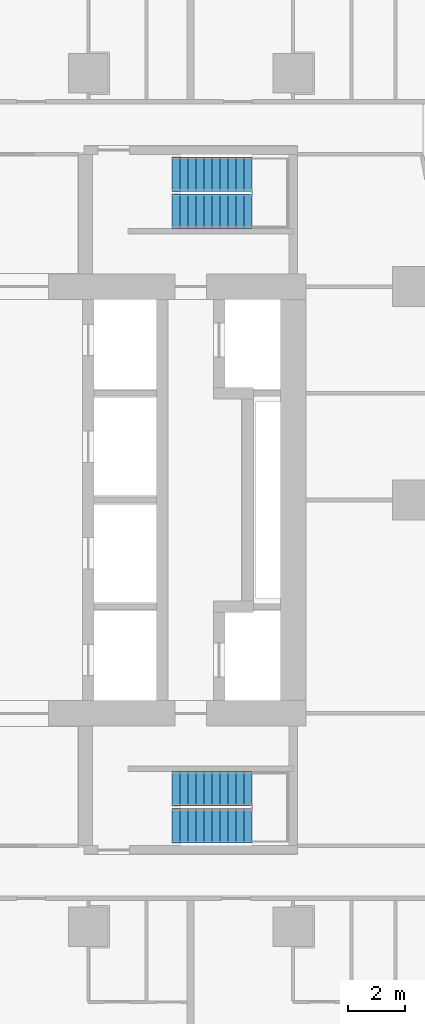
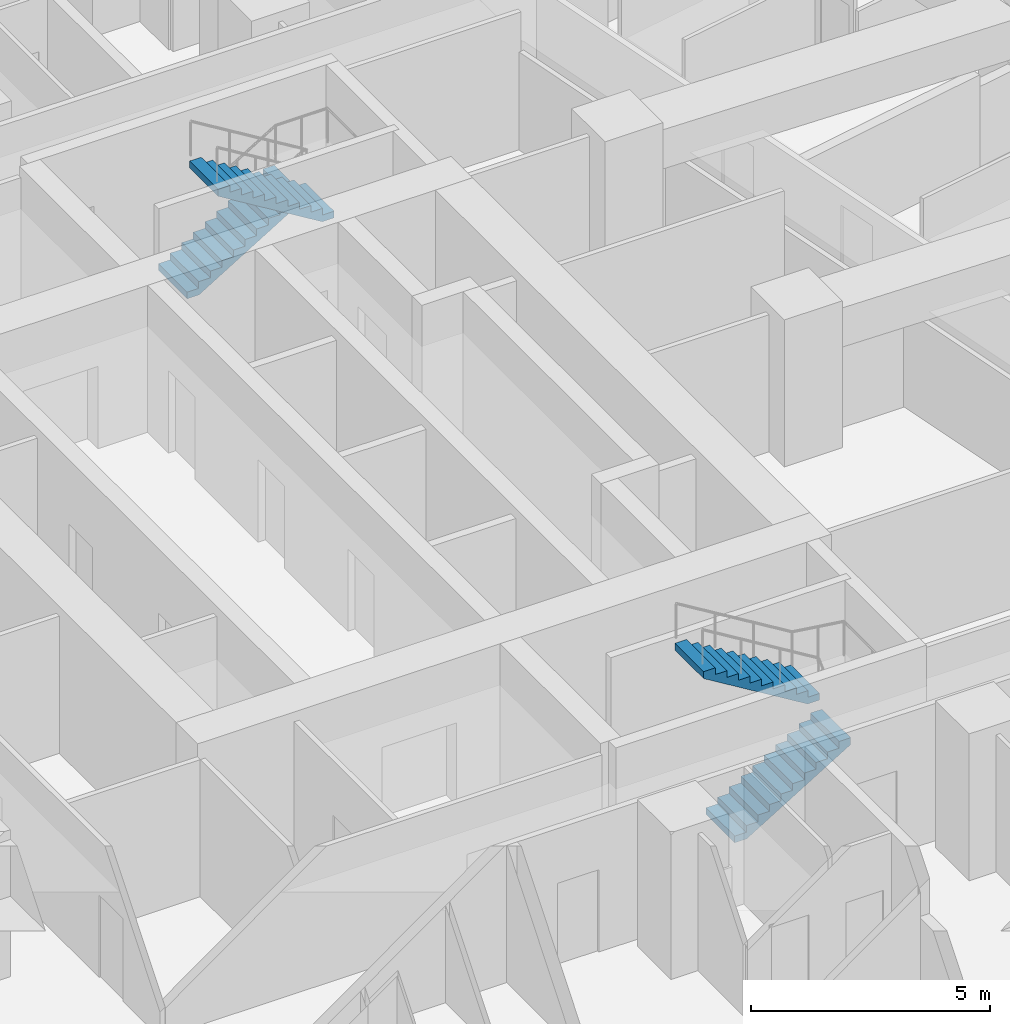
# One storey, part 16 of 17: 4 stair flights, 2 elements without a shape of their own.
"""IFC4 building model written with IfcOpenShell, lengths in metres."""

from ifc_helpers import new_model, si_unit, direction, frame, origin, place, context, subcontext, project, spatial, triangles, material, type_object, element, aggregate, save


model = new_model("IFC4")

# Units and contexts
model_context = context("Model", 3, precision=1e-05, world=origin(), true_north=direction((0.0, 1.0)))
body_context = subcontext(model_context, "Body", "Model", "MODEL_VIEW")
ifc_project = project(units=[si_unit("LENGTHUNIT", "METRE"), si_unit("AREAUNIT", "SQUARE_METRE"), si_unit("VOLUMEUNIT", "CUBIC_METRE"), si_unit("PLANEANGLEUNIT", "RADIAN"), si_unit("MASSUNIT", "GRAM", prefix="KILO")], contexts=[model_context])

# Site, building, storey
site_placement = place(None, origin())
site = spatial("IfcSite", under=ifc_project, at=site_placement, CompositionType="ELEMENT")
building_placement = place(site_placement, origin())
building = spatial("IfcBuilding", under=site, at=building_placement, Name="Sheger Commons Tower", CompositionType="ELEMENT")
storey_placement = place(building_placement, frame((0.0, 0.0, 212.449951171875)))
storey = spatial("IfcBuildingStorey", under=building, at=storey_placement, Name="L54", CompositionType="ELEMENT", Elevation=212.449951171875)

# Stair, stair flights
ifc_material_1 = material(Name="Concrete C35/45", Category="concrete")
stair_type = type_object("IfcStairType", Name="HALF-TURN STAIR 1200 RISE 3750", PredefinedType="HALF_TURN_STAIR", material=ifc_material_1)
stair_1_placement = place(storey_placement, origin())
stair_1 = element("IfcStair", 1, at=stair_1_placement, inside=storey, type_object=stair_type, Name="Stair S1 L54", PredefinedType="HALF_TURN_STAIR")
ifc_material_2 = material(Name="Concrete C35/45", Category="concrete")
stair_flight_type = type_object("IfcStairFlightType", Name="STAIR FLIGHT 1200 11 RISERS OF 170", PredefinedType="STRAIGHT", material=ifc_material_2)
stair_flight_1_placement = place(storey_placement, frame((24.550048828125, 11.050048828125, 0.0), z_axis=(0.0, 0.0, 1.0), x_axis=(1.0, 0.0, 0.0)))
stair_flight_1 = element("IfcStairFlight", 2, at=stair_flight_1_placement, type_object=stair_flight_type, Name="S1 flight 1", NumberOfRisers=11, NumberOfTreads=10, PredefinedType="STRAIGHT", RiserHeight=0.170454545, TreadLength=0.28, context=body_context, shape_type="Tessellation", body=[
    triangles([(0.0, 0.5999755859375, 0.0), (0.0, 0.5999755859375, 0.17041015625), (0.280029296875, 0.5999755859375, 0.17041015625), (0.280029296875, 0.5999755859375, 0.3408203125), (0.56005859375, 0.5999755859375, 0.3408203125), (0.56005859375, 0.5999755859375, 0.511474609375), (0.840087890625, 0.5999755859375, 0.511474609375), (0.840087890625, 0.5999755859375, 0.681884765625), (1.1201171875, 0.5999755859375, 0.681884765625), (1.1201171875, 0.5999755859375, 0.852294921875), (1.39990234375, 0.5999755859375, 0.852294921875), (1.39990234375, 0.5999755859375, 1.022705078125), (1.679931640625, 0.5999755859375, 1.022705078125), (1.679931640625, 0.5999755859375, 1.193115234375), (1.9599609375, 0.5999755859375, 1.193115234375), (1.9599609375, 0.5999755859375, 1.363525390625), (2.239990234375, 0.5999755859375, 1.363525390625), (2.239990234375, 0.5999755859375, 1.5341796875), (2.52001953125, 0.5999755859375, 1.5341796875), (2.52001953125, 0.5999755859375, 1.70458984375), (2.800048828125, 0.5999755859375, 1.70458984375), (2.800048828125, 0.5999755859375, 1.529052734375), (0.288330078125, 0.5999755859375, 0.0), (0.0, -0.5999755859375, 0.0), (0.0, -0.5999755859375, 0.17041015625), (0.280029296875, -0.5999755859375, 0.17041015625), (0.280029296875, -0.5999755859375, 0.3408203125), (0.56005859375, -0.5999755859375, 0.3408203125), (0.56005859375, -0.5999755859375, 0.511474609375), (0.840087890625, -0.5999755859375, 0.511474609375), (0.840087890625, -0.5999755859375, 0.681884765625), (1.1201171875, -0.5999755859375, 0.681884765625), (1.1201171875, -0.5999755859375, 0.852294921875), (1.39990234375, -0.5999755859375, 0.852294921875), (1.39990234375, -0.5999755859375, 1.022705078125), (1.679931640625, -0.5999755859375, 1.022705078125), (1.679931640625, -0.5999755859375, 1.193115234375), (1.9599609375, -0.5999755859375, 1.193115234375), (1.9599609375, -0.5999755859375, 1.363525390625), (2.239990234375, -0.5999755859375, 1.363525390625), (2.239990234375, -0.5999755859375, 1.5341796875), (2.52001953125, -0.5999755859375, 1.5341796875), (2.52001953125, -0.5999755859375, 1.70458984375), (2.800048828125, -0.5999755859375, 1.70458984375), (2.800048828125, -0.5999755859375, 1.529052734375), (0.288330078125, -0.5999755859375, 0.0), (0.0, 0.0, 0.085205078125), (0.1400146484375, 0.0, 0.17041015625), (0.280029296875, 0.0, 0.255615234375), (0.4200439453125, 0.0, 0.3408203125), (0.56005859375, 0.0, 0.4261474609375), (0.7000732421875, 0.0, 0.511474609375), (0.840087890625, 0.0, 0.5966796875), (0.9801025390625, 0.0, 0.681884765625), (1.1201171875, 0.0, 0.76708984375), (1.260009765625, 0.0, 0.852294921875), (1.39990234375, 0.0, 0.9375), (1.5399169921875, 0.0, 1.022705078125), (1.679931640625, 0.0, 1.10791015625), (1.8199462890625, 0.0, 1.193115234375), (1.9599609375, 0.0, 1.2783203125), (2.0999755859375, 0.0, 1.363525390625), (2.239990234375, 0.0, 1.4488525390625), (2.3800048828125, 0.0, 1.5341796875), (2.52001953125, 0.0, 1.619384765625), (2.6600341796875, 0.0, 1.70458984375), (2.800048828125, 0.0, 1.6168212890625), (1.544189453125, 0.0, 0.7645263671875), (0.1441650390625, 0.0, 0.0)], [[1, 22, 23], [24, 46, 45], [22, 20, 21], [45, 44, 43], [22, 19, 20], [45, 43, 42], [22, 18, 19], [45, 42, 41], [22, 17, 18], [45, 41, 40], [17, 15, 16], [40, 39, 38], [22, 15, 17], [45, 40, 38], [15, 13, 14], [38, 37, 36], [22, 13, 15], [45, 38, 36], [13, 11, 12], [36, 35, 34], [22, 11, 13], [45, 36, 34], [11, 9, 10], [34, 33, 32], [22, 9, 11], [45, 34, 32], [9, 7, 8], [32, 31, 30], [22, 7, 9], [45, 32, 30], [7, 5, 6], [30, 29, 28], [22, 5, 7], [45, 30, 28], [5, 3, 4], [28, 27, 26], [22, 3, 5], [45, 28, 26], [1, 3, 22], [24, 45, 26], [3, 1, 2], [26, 25, 24], [1, 47, 2], [2, 47, 25], [25, 47, 24], [24, 47, 1], [2, 48, 3], [3, 48, 26], [26, 48, 25], [25, 48, 2], [3, 49, 4], [4, 49, 27], [27, 49, 26], [26, 49, 3], [4, 50, 5], [5, 50, 28], [28, 50, 27], [27, 50, 4], [5, 51, 6], [6, 51, 29], [29, 51, 28], [28, 51, 5], [6, 52, 7], [7, 52, 30], [30, 52, 29], [29, 52, 6], [7, 53, 8], [8, 53, 31], [31, 53, 30], [30, 53, 7], [8, 54, 9], [9, 54, 32], [32, 54, 31], [31, 54, 8], [9, 55, 10], [10, 55, 33], [33, 55, 32], [32, 55, 9], [10, 56, 11], [11, 56, 34], [34, 56, 33], [33, 56, 10], [11, 57, 12], [12, 57, 35], [35, 57, 34], [34, 57, 11], [12, 58, 13], [13, 58, 36], [36, 58, 35], [35, 58, 12], [13, 59, 14], [14, 59, 37], [37, 59, 36], [36, 59, 13], [14, 60, 15], [15, 60, 38], [38, 60, 37], [37, 60, 14], [15, 61, 16], [16, 61, 39], [39, 61, 38], [38, 61, 15], [16, 62, 17], [17, 62, 40], [40, 62, 39], [39, 62, 16], [17, 63, 18], [18, 63, 41], [41, 63, 40], [40, 63, 17], [18, 64, 19], [19, 64, 42], [42, 64, 41], [41, 64, 18], [19, 65, 20], [20, 65, 43], [43, 65, 42], [42, 65, 19], [20, 66, 21], [21, 66, 44], [44, 66, 43], [43, 66, 20], [21, 67, 22], [22, 67, 45], [45, 67, 44], [44, 67, 21], [22, 68, 23], [23, 68, 46], [46, 68, 45], [45, 68, 22], [23, 69, 1], [1, 69, 24], [24, 69, 46], [46, 69, 23]], closed=True),
])
stair_flight_2_placement = place(storey_placement, frame((27.35009765625, 12.35009765625, 1.875), z_axis=(0.0, 0.0, 1.0), x_axis=(-1.0, 0.0, 0.0)))
stair_flight_2 = element("IfcStairFlight", 3, at=stair_flight_2_placement, type_object=stair_flight_type, Name="S1 flight 2", NumberOfRisers=11, NumberOfTreads=10, PredefinedType="STRAIGHT", RiserHeight=0.170454545, TreadLength=0.28, context=body_context, shape_type="Tessellation", body=[
    triangles([(0.0, 0.5999755859375, 0.0), (0.0, 0.5999755859375, 0.17041015625), (0.280029296875, 0.5999755859375, 0.17041015625), (0.280029296875, 0.5999755859375, 0.3408203125), (0.56005859375, 0.5999755859375, 0.3408203125), (0.56005859375, 0.5999755859375, 0.511474609375), (0.840087890625, 0.5999755859375, 0.511474609375), (0.840087890625, 0.5999755859375, 0.681884765625), (1.1201171875, 0.5999755859375, 0.681884765625), (1.1201171875, 0.5999755859375, 0.852294921875), (1.39990234375, 0.5999755859375, 0.852294921875), (1.39990234375, 0.5999755859375, 1.022705078125), (1.679931640625, 0.5999755859375, 1.022705078125), (1.679931640625, 0.5999755859375, 1.193115234375), (1.9599609375, 0.5999755859375, 1.193115234375), (1.9599609375, 0.5999755859375, 1.363525390625), (2.239990234375, 0.5999755859375, 1.363525390625), (2.239990234375, 0.5999755859375, 1.5341796875), (2.52001953125, 0.5999755859375, 1.5341796875), (2.52001953125, 0.5999755859375, 1.70458984375), (2.800048828125, 0.5999755859375, 1.70458984375), (2.800048828125, 0.5999755859375, 1.529052734375), (0.288330078125, 0.5999755859375, 0.0), (0.0, -0.5999755859375, 0.0), (0.0, -0.5999755859375, 0.17041015625), (0.280029296875, -0.5999755859375, 0.17041015625), (0.280029296875, -0.5999755859375, 0.3408203125), (0.56005859375, -0.5999755859375, 0.3408203125), (0.56005859375, -0.5999755859375, 0.511474609375), (0.840087890625, -0.5999755859375, 0.511474609375), (0.840087890625, -0.5999755859375, 0.681884765625), (1.1201171875, -0.5999755859375, 0.681884765625), (1.1201171875, -0.5999755859375, 0.852294921875), (1.39990234375, -0.5999755859375, 0.852294921875), (1.39990234375, -0.5999755859375, 1.022705078125), (1.679931640625, -0.5999755859375, 1.022705078125), (1.679931640625, -0.5999755859375, 1.193115234375), (1.9599609375, -0.5999755859375, 1.193115234375), (1.9599609375, -0.5999755859375, 1.363525390625), (2.239990234375, -0.5999755859375, 1.363525390625), (2.239990234375, -0.5999755859375, 1.5341796875), (2.52001953125, -0.5999755859375, 1.5341796875), (2.52001953125, -0.5999755859375, 1.70458984375), (2.800048828125, -0.5999755859375, 1.70458984375), (2.800048828125, -0.5999755859375, 1.529052734375), (0.288330078125, -0.5999755859375, 0.0), (0.0, 0.0, 0.085205078125), (0.1400146484375, 0.0, 0.17041015625), (0.280029296875, 0.0, 0.255615234375), (0.4200439453125, 0.0, 0.3408203125), (0.56005859375, 0.0, 0.4261474609375), (0.7000732421875, 0.0, 0.511474609375), (0.840087890625, 0.0, 0.5966796875), (0.9801025390625, 0.0, 0.681884765625), (1.1201171875, 0.0, 0.76708984375), (1.260009765625, 0.0, 0.852294921875), (1.39990234375, 0.0, 0.9375), (1.5399169921875, 0.0, 1.022705078125), (1.679931640625, 0.0, 1.10791015625), (1.8199462890625, 0.0, 1.193115234375), (1.9599609375, 0.0, 1.2783203125), (2.0999755859375, 0.0, 1.363525390625), (2.239990234375, 0.0, 1.4488525390625), (2.3800048828125, 0.0, 1.5341796875), (2.52001953125, 0.0, 1.619384765625), (2.6600341796875, 0.0, 1.70458984375), (2.800048828125, 0.0, 1.6168212890625), (1.544189453125, 0.0, 0.7645263671875), (0.1441650390625, 0.0, 0.0)], [[1, 22, 23], [24, 46, 45], [22, 20, 21], [45, 44, 43], [22, 19, 20], [45, 43, 42], [22, 18, 19], [45, 42, 41], [22, 17, 18], [45, 41, 40], [17, 15, 16], [40, 39, 38], [22, 15, 17], [45, 40, 38], [15, 13, 14], [38, 37, 36], [22, 13, 15], [45, 38, 36], [13, 11, 12], [36, 35, 34], [22, 11, 13], [45, 36, 34], [11, 9, 10], [34, 33, 32], [22, 9, 11], [45, 34, 32], [9, 7, 8], [32, 31, 30], [22, 7, 9], [45, 32, 30], [7, 5, 6], [30, 29, 28], [22, 5, 7], [45, 30, 28], [5, 3, 4], [28, 27, 26], [22, 3, 5], [45, 28, 26], [1, 3, 22], [24, 45, 26], [3, 1, 2], [26, 25, 24], [1, 47, 2], [2, 47, 25], [25, 47, 24], [24, 47, 1], [2, 48, 3], [3, 48, 26], [26, 48, 25], [25, 48, 2], [3, 49, 4], [4, 49, 27], [27, 49, 26], [26, 49, 3], [4, 50, 5], [5, 50, 28], [28, 50, 27], [27, 50, 4], [5, 51, 6], [6, 51, 29], [29, 51, 28], [28, 51, 5], [6, 52, 7], [7, 52, 30], [30, 52, 29], [29, 52, 6], [7, 53, 8], [8, 53, 31], [31, 53, 30], [30, 53, 7], [8, 54, 9], [9, 54, 32], [32, 54, 31], [31, 54, 8], [9, 55, 10], [10, 55, 33], [33, 55, 32], [32, 55, 9], [10, 56, 11], [11, 56, 34], [34, 56, 33], [33, 56, 10], [11, 57, 12], [12, 57, 35], [35, 57, 34], [34, 57, 11], [12, 58, 13], [13, 58, 36], [36, 58, 35], [35, 58, 12], [13, 59, 14], [14, 59, 37], [37, 59, 36], [36, 59, 13], [14, 60, 15], [15, 60, 38], [38, 60, 37], [37, 60, 14], [15, 61, 16], [16, 61, 39], [39, 61, 38], [38, 61, 15], [16, 62, 17], [17, 62, 40], [40, 62, 39], [39, 62, 16], [17, 63, 18], [18, 63, 41], [41, 63, 40], [40, 63, 17], [18, 64, 19], [19, 64, 42], [42, 64, 41], [41, 64, 18], [19, 65, 20], [20, 65, 43], [43, 65, 42], [42, 65, 19], [20, 66, 21], [21, 66, 44], [44, 66, 43], [43, 66, 20], [21, 67, 22], [22, 67, 45], [45, 67, 44], [44, 67, 21], [22, 68, 23], [23, 68, 46], [46, 68, 45], [45, 68, 22], [23, 69, 1], [1, 69, 24], [24, 69, 46], [46, 69, 23]], closed=True),
])
aggregate(stair_1, [stair_flight_1, stair_flight_2])

stair_2_placement = place(storey_placement, origin())
stair_2 = element("IfcStair", 4, at=stair_2_placement, inside=storey, type_object=stair_type, Name="Stair S2 L54", PredefinedType="HALF_TURN_STAIR")
stair_flight_3_placement = place(storey_placement, frame((24.550048828125, 33.949951171875, 0.0), z_axis=(0.0, 0.0, 1.0), x_axis=(1.0, 0.0, 0.0)))
stair_flight_3 = element("IfcStairFlight", 5, at=stair_flight_3_placement, type_object=stair_flight_type, Name="S2 flight 1", NumberOfRisers=11, NumberOfTreads=10, PredefinedType="STRAIGHT", RiserHeight=0.170454545, TreadLength=0.28, context=body_context, shape_type="Tessellation", body=[
    triangles([(0.0, 0.5999755859375, 0.0), (0.0, 0.5999755859375, 0.17041015625), (0.280029296875, 0.5999755859375, 0.17041015625), (0.280029296875, 0.5999755859375, 0.3408203125), (0.56005859375, 0.5999755859375, 0.3408203125), (0.56005859375, 0.5999755859375, 0.511474609375), (0.840087890625, 0.5999755859375, 0.511474609375), (0.840087890625, 0.5999755859375, 0.681884765625), (1.1201171875, 0.5999755859375, 0.681884765625), (1.1201171875, 0.5999755859375, 0.852294921875), (1.39990234375, 0.5999755859375, 0.852294921875), (1.39990234375, 0.5999755859375, 1.022705078125), (1.679931640625, 0.5999755859375, 1.022705078125), (1.679931640625, 0.5999755859375, 1.193115234375), (1.9599609375, 0.5999755859375, 1.193115234375), (1.9599609375, 0.5999755859375, 1.363525390625), (2.239990234375, 0.5999755859375, 1.363525390625), (2.239990234375, 0.5999755859375, 1.5341796875), (2.52001953125, 0.5999755859375, 1.5341796875), (2.52001953125, 0.5999755859375, 1.70458984375), (2.800048828125, 0.5999755859375, 1.70458984375), (2.800048828125, 0.5999755859375, 1.529052734375), (0.288330078125, 0.5999755859375, 0.0), (0.0, -0.5999755859375, 0.0), (0.0, -0.5999755859375, 0.17041015625), (0.280029296875, -0.5999755859375, 0.17041015625), (0.280029296875, -0.5999755859375, 0.3408203125), (0.56005859375, -0.5999755859375, 0.3408203125), (0.56005859375, -0.5999755859375, 0.511474609375), (0.840087890625, -0.5999755859375, 0.511474609375), (0.840087890625, -0.5999755859375, 0.681884765625), (1.1201171875, -0.5999755859375, 0.681884765625), (1.1201171875, -0.5999755859375, 0.852294921875), (1.39990234375, -0.5999755859375, 0.852294921875), (1.39990234375, -0.5999755859375, 1.022705078125), (1.679931640625, -0.5999755859375, 1.022705078125), (1.679931640625, -0.5999755859375, 1.193115234375), (1.9599609375, -0.5999755859375, 1.193115234375), (1.9599609375, -0.5999755859375, 1.363525390625), (2.239990234375, -0.5999755859375, 1.363525390625), (2.239990234375, -0.5999755859375, 1.5341796875), (2.52001953125, -0.5999755859375, 1.5341796875), (2.52001953125, -0.5999755859375, 1.70458984375), (2.800048828125, -0.5999755859375, 1.70458984375), (2.800048828125, -0.5999755859375, 1.529052734375), (0.288330078125, -0.5999755859375, 0.0), (0.0, 0.0, 0.085205078125), (0.1400146484375, 0.0, 0.17041015625), (0.280029296875, 0.0, 0.255615234375), (0.4200439453125, 0.0, 0.3408203125), (0.56005859375, 0.0, 0.4261474609375), (0.7000732421875, 0.0, 0.511474609375), (0.840087890625, 0.0, 0.5966796875), (0.9801025390625, 0.0, 0.681884765625), (1.1201171875, 0.0, 0.76708984375), (1.260009765625, 0.0, 0.852294921875), (1.39990234375, 0.0, 0.9375), (1.5399169921875, 0.0, 1.022705078125), (1.679931640625, 0.0, 1.10791015625), (1.8199462890625, 0.0, 1.193115234375), (1.9599609375, 0.0, 1.2783203125), (2.0999755859375, 0.0, 1.363525390625), (2.239990234375, 0.0, 1.4488525390625), (2.3800048828125, 0.0, 1.5341796875), (2.52001953125, 0.0, 1.619384765625), (2.6600341796875, 0.0, 1.70458984375), (2.800048828125, 0.0, 1.6168212890625), (1.544189453125, 0.0, 0.7645263671875), (0.1441650390625, 0.0, 0.0)], [[1, 22, 23], [24, 46, 45], [22, 20, 21], [45, 44, 43], [22, 19, 20], [45, 43, 42], [22, 18, 19], [45, 42, 41], [22, 17, 18], [45, 41, 40], [17, 15, 16], [40, 39, 38], [22, 15, 17], [45, 40, 38], [15, 13, 14], [38, 37, 36], [22, 13, 15], [45, 38, 36], [13, 11, 12], [36, 35, 34], [22, 11, 13], [45, 36, 34], [11, 9, 10], [34, 33, 32], [22, 9, 11], [45, 34, 32], [9, 7, 8], [32, 31, 30], [22, 7, 9], [45, 32, 30], [7, 5, 6], [30, 29, 28], [22, 5, 7], [45, 30, 28], [5, 3, 4], [28, 27, 26], [22, 3, 5], [45, 28, 26], [1, 3, 22], [24, 45, 26], [3, 1, 2], [26, 25, 24], [1, 47, 2], [2, 47, 25], [25, 47, 24], [24, 47, 1], [2, 48, 3], [3, 48, 26], [26, 48, 25], [25, 48, 2], [3, 49, 4], [4, 49, 27], [27, 49, 26], [26, 49, 3], [4, 50, 5], [5, 50, 28], [28, 50, 27], [27, 50, 4], [5, 51, 6], [6, 51, 29], [29, 51, 28], [28, 51, 5], [6, 52, 7], [7, 52, 30], [30, 52, 29], [29, 52, 6], [7, 53, 8], [8, 53, 31], [31, 53, 30], [30, 53, 7], [8, 54, 9], [9, 54, 32], [32, 54, 31], [31, 54, 8], [9, 55, 10], [10, 55, 33], [33, 55, 32], [32, 55, 9], [10, 56, 11], [11, 56, 34], [34, 56, 33], [33, 56, 10], [11, 57, 12], [12, 57, 35], [35, 57, 34], [34, 57, 11], [12, 58, 13], [13, 58, 36], [36, 58, 35], [35, 58, 12], [13, 59, 14], [14, 59, 37], [37, 59, 36], [36, 59, 13], [14, 60, 15], [15, 60, 38], [38, 60, 37], [37, 60, 14], [15, 61, 16], [16, 61, 39], [39, 61, 38], [38, 61, 15], [16, 62, 17], [17, 62, 40], [40, 62, 39], [39, 62, 16], [17, 63, 18], [18, 63, 41], [41, 63, 40], [40, 63, 17], [18, 64, 19], [19, 64, 42], [42, 64, 41], [41, 64, 18], [19, 65, 20], [20, 65, 43], [43, 65, 42], [42, 65, 19], [20, 66, 21], [21, 66, 44], [44, 66, 43], [43, 66, 20], [21, 67, 22], [22, 67, 45], [45, 67, 44], [44, 67, 21], [22, 68, 23], [23, 68, 46], [46, 68, 45], [45, 68, 22], [23, 69, 1], [1, 69, 24], [24, 69, 46], [46, 69, 23]], closed=True),
])
stair_flight_4_placement = place(storey_placement, frame((27.35009765625, 32.64990234375, 1.875), z_axis=(0.0, 0.0, 1.0), x_axis=(-1.0, 0.0, 0.0)))
stair_flight_4 = element("IfcStairFlight", 6, at=stair_flight_4_placement, type_object=stair_flight_type, Name="S2 flight 2", NumberOfRisers=11, NumberOfTreads=10, PredefinedType="STRAIGHT", RiserHeight=0.170454545, TreadLength=0.28, context=body_context, shape_type="Tessellation", body=[
    triangles([(0.0, 0.5999755859375, 0.0), (0.0, 0.5999755859375, 0.17041015625), (0.280029296875, 0.5999755859375, 0.17041015625), (0.280029296875, 0.5999755859375, 0.3408203125), (0.56005859375, 0.5999755859375, 0.3408203125), (0.56005859375, 0.5999755859375, 0.511474609375), (0.840087890625, 0.5999755859375, 0.511474609375), (0.840087890625, 0.5999755859375, 0.681884765625), (1.1201171875, 0.5999755859375, 0.681884765625), (1.1201171875, 0.5999755859375, 0.852294921875), (1.39990234375, 0.5999755859375, 0.852294921875), (1.39990234375, 0.5999755859375, 1.022705078125), (1.679931640625, 0.5999755859375, 1.022705078125), (1.679931640625, 0.5999755859375, 1.193115234375), (1.9599609375, 0.5999755859375, 1.193115234375), (1.9599609375, 0.5999755859375, 1.363525390625), (2.239990234375, 0.5999755859375, 1.363525390625), (2.239990234375, 0.5999755859375, 1.5341796875), (2.52001953125, 0.5999755859375, 1.5341796875), (2.52001953125, 0.5999755859375, 1.70458984375), (2.800048828125, 0.5999755859375, 1.70458984375), (2.800048828125, 0.5999755859375, 1.529052734375), (0.288330078125, 0.5999755859375, 0.0), (0.0, -0.5999755859375, 0.0), (0.0, -0.5999755859375, 0.17041015625), (0.280029296875, -0.5999755859375, 0.17041015625), (0.280029296875, -0.5999755859375, 0.3408203125), (0.56005859375, -0.5999755859375, 0.3408203125), (0.56005859375, -0.5999755859375, 0.511474609375), (0.840087890625, -0.5999755859375, 0.511474609375), (0.840087890625, -0.5999755859375, 0.681884765625), (1.1201171875, -0.5999755859375, 0.681884765625), (1.1201171875, -0.5999755859375, 0.852294921875), (1.39990234375, -0.5999755859375, 0.852294921875), (1.39990234375, -0.5999755859375, 1.022705078125), (1.679931640625, -0.5999755859375, 1.022705078125), (1.679931640625, -0.5999755859375, 1.193115234375), (1.9599609375, -0.5999755859375, 1.193115234375), (1.9599609375, -0.5999755859375, 1.363525390625), (2.239990234375, -0.5999755859375, 1.363525390625), (2.239990234375, -0.5999755859375, 1.5341796875), (2.52001953125, -0.5999755859375, 1.5341796875), (2.52001953125, -0.5999755859375, 1.70458984375), (2.800048828125, -0.5999755859375, 1.70458984375), (2.800048828125, -0.5999755859375, 1.529052734375), (0.288330078125, -0.5999755859375, 0.0), (0.0, 0.0, 0.085205078125), (0.1400146484375, 0.0, 0.17041015625), (0.280029296875, 0.0, 0.255615234375), (0.4200439453125, 0.0, 0.3408203125), (0.56005859375, 0.0, 0.4261474609375), (0.7000732421875, 0.0, 0.511474609375), (0.840087890625, 0.0, 0.5966796875), (0.9801025390625, 0.0, 0.681884765625), (1.1201171875, 0.0, 0.76708984375), (1.260009765625, 0.0, 0.852294921875), (1.39990234375, 0.0, 0.9375), (1.5399169921875, 0.0, 1.022705078125), (1.679931640625, 0.0, 1.10791015625), (1.8199462890625, 0.0, 1.193115234375), (1.9599609375, 0.0, 1.2783203125), (2.0999755859375, 0.0, 1.363525390625), (2.239990234375, 0.0, 1.4488525390625), (2.3800048828125, 0.0, 1.5341796875), (2.52001953125, 0.0, 1.619384765625), (2.6600341796875, 0.0, 1.70458984375), (2.800048828125, 0.0, 1.6168212890625), (1.544189453125, 0.0, 0.7645263671875), (0.1441650390625, 0.0, 0.0)], [[1, 22, 23], [24, 46, 45], [22, 20, 21], [45, 44, 43], [22, 19, 20], [45, 43, 42], [22, 18, 19], [45, 42, 41], [22, 17, 18], [45, 41, 40], [17, 15, 16], [40, 39, 38], [22, 15, 17], [45, 40, 38], [15, 13, 14], [38, 37, 36], [22, 13, 15], [45, 38, 36], [13, 11, 12], [36, 35, 34], [22, 11, 13], [45, 36, 34], [11, 9, 10], [34, 33, 32], [22, 9, 11], [45, 34, 32], [9, 7, 8], [32, 31, 30], [22, 7, 9], [45, 32, 30], [7, 5, 6], [30, 29, 28], [22, 5, 7], [45, 30, 28], [5, 3, 4], [28, 27, 26], [22, 3, 5], [45, 28, 26], [1, 3, 22], [24, 45, 26], [3, 1, 2], [26, 25, 24], [1, 47, 2], [2, 47, 25], [25, 47, 24], [24, 47, 1], [2, 48, 3], [3, 48, 26], [26, 48, 25], [25, 48, 2], [3, 49, 4], [4, 49, 27], [27, 49, 26], [26, 49, 3], [4, 50, 5], [5, 50, 28], [28, 50, 27], [27, 50, 4], [5, 51, 6], [6, 51, 29], [29, 51, 28], [28, 51, 5], [6, 52, 7], [7, 52, 30], [30, 52, 29], [29, 52, 6], [7, 53, 8], [8, 53, 31], [31, 53, 30], [30, 53, 7], [8, 54, 9], [9, 54, 32], [32, 54, 31], [31, 54, 8], [9, 55, 10], [10, 55, 33], [33, 55, 32], [32, 55, 9], [10, 56, 11], [11, 56, 34], [34, 56, 33], [33, 56, 10], [11, 57, 12], [12, 57, 35], [35, 57, 34], [34, 57, 11], [12, 58, 13], [13, 58, 36], [36, 58, 35], [35, 58, 12], [13, 59, 14], [14, 59, 37], [37, 59, 36], [36, 59, 13], [14, 60, 15], [15, 60, 38], [38, 60, 37], [37, 60, 14], [15, 61, 16], [16, 61, 39], [39, 61, 38], [38, 61, 15], [16, 62, 17], [17, 62, 40], [40, 62, 39], [39, 62, 16], [17, 63, 18], [18, 63, 41], [41, 63, 40], [40, 63, 17], [18, 64, 19], [19, 64, 42], [42, 64, 41], [41, 64, 18], [19, 65, 20], [20, 65, 43], [43, 65, 42], [42, 65, 19], [20, 66, 21], [21, 66, 44], [44, 66, 43], [43, 66, 20], [21, 67, 22], [22, 67, 45], [45, 67, 44], [44, 67, 21], [22, 68, 23], [23, 68, 46], [46, 68, 45], [45, 68, 22], [23, 69, 1], [1, 69, 24], [24, 69, 46], [46, 69, 23]], closed=True),
])
aggregate(stair_2, [stair_flight_3, stair_flight_4])

save(model, "model.ifc")
